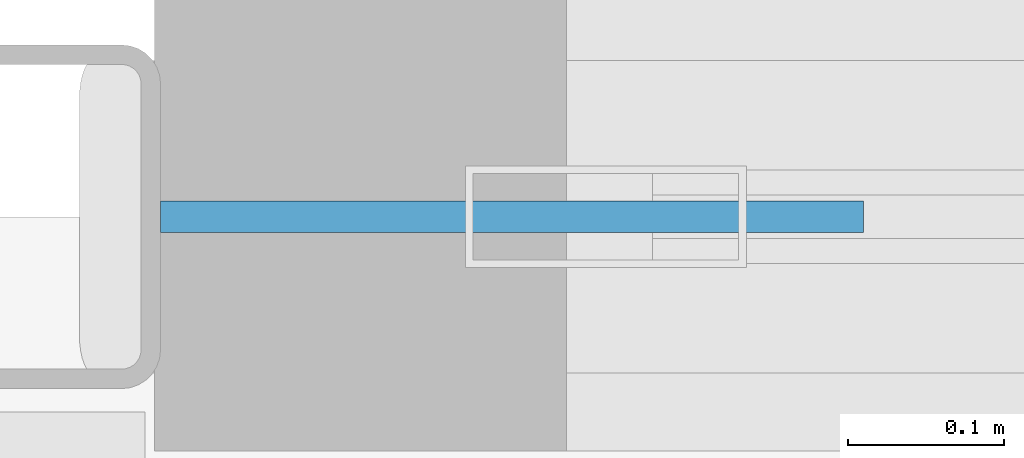
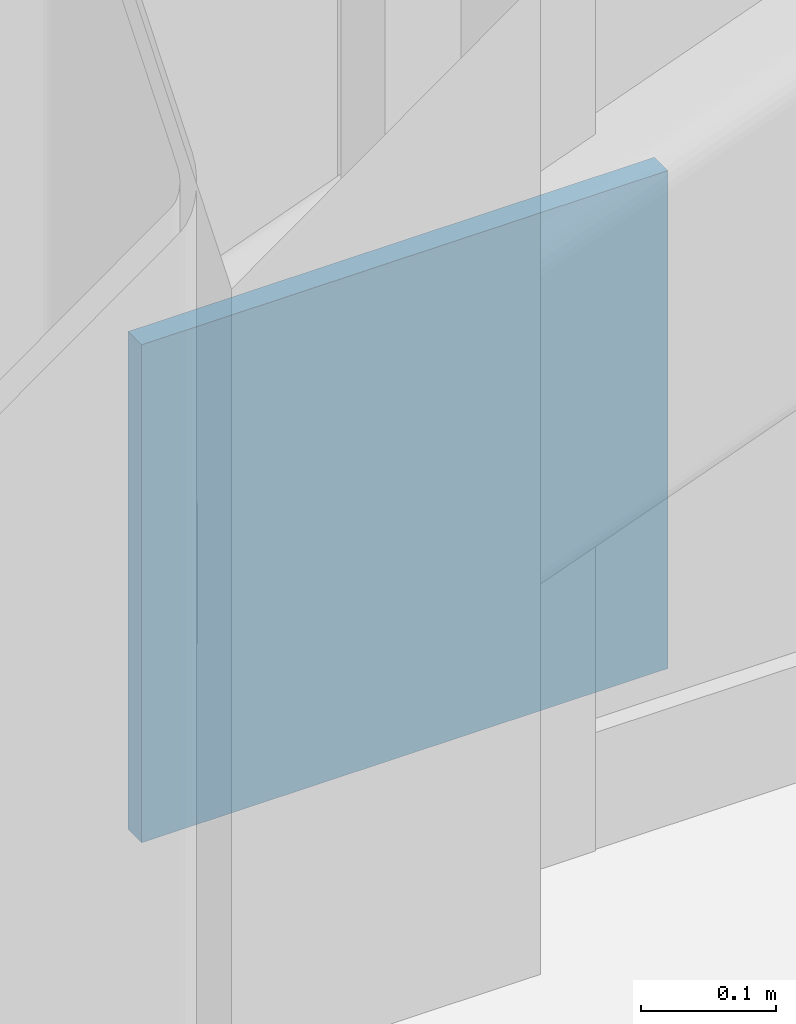
# One storey, part 71 of 86: 1 plate.
"""IFC4 building model written with IfcOpenShell, lengths in metres."""

from ifc_helpers import new_model, si_unit, direction, frame, origin, origin_2d, place, context, subcontext, project, spatial, rectangle, extrude, material, layer, layer_set, type_object, element, save


model = new_model("IFC4")

# Units and contexts
model_context = context("Model", 3, precision=1e-05, world=origin(), true_north=direction((0.0, 1.0)))
body_context = subcontext(model_context, "Body", "Model", "MODEL_VIEW")
ifc_project = project(units=[si_unit("LENGTHUNIT", "METRE"), si_unit("AREAUNIT", "SQUARE_METRE"), si_unit("VOLUMEUNIT", "CUBIC_METRE"), si_unit("PLANEANGLEUNIT", "RADIAN"), si_unit("MASSUNIT", "GRAM", prefix="KILO")], contexts=[model_context])

# Site, building, storey
site_placement = place(None, origin())
site = spatial("IfcSite", under=ifc_project, at=site_placement, CompositionType="ELEMENT")
building_placement = place(site_placement, origin())
building = spatial("IfcBuilding", under=site, at=building_placement, Name="Tasgan Crest Museum", CompositionType="ELEMENT")
storey_placement = place(building_placement, frame((0.0, 0.0, 24.0)))
storey = spatial("IfcBuildingStorey", under=building, at=storey_placement, Name="L04", CompositionType="ELEMENT", Elevation=24.0)

# Plate
ifc_material = material(Name="Steel S355K2", Category="steel")
ifc_layer = layer(ifc_material, 0.02001953125, Name="PL-GUSSET-450")
ifc_layer_set = layer_set([ifc_layer], Name="Steel S355K2")
plate_type = type_object("IfcPlateType", Name="PL-GUSSET-450", PredefinedType="USERDEFINED", material=ifc_layer_set)
plate_placement = place(storey_placement, frame((21.93505859375, 112.0, 0.125), z_axis=(0.0, 0.0, 1.0), x_axis=(1.0, 0.0, 0.0)))
element("IfcPlate", 1, at=plate_placement, inside=storey, type_object=plate_type, Name="Diagonal gusset plate L04 M 21.6", ObjectType="GUSSET PLATE", PredefinedType="USERDEFINED", context=body_context, shape_type="SweptSolid", body=[
    extrude(rectangle(XDim=0.449951171875, YDim=0.02001953125, at=origin_2d()), origin(), (0.0, 0.0, 1.0), 0.449951171875),
])

save(model, "model.ifc")
